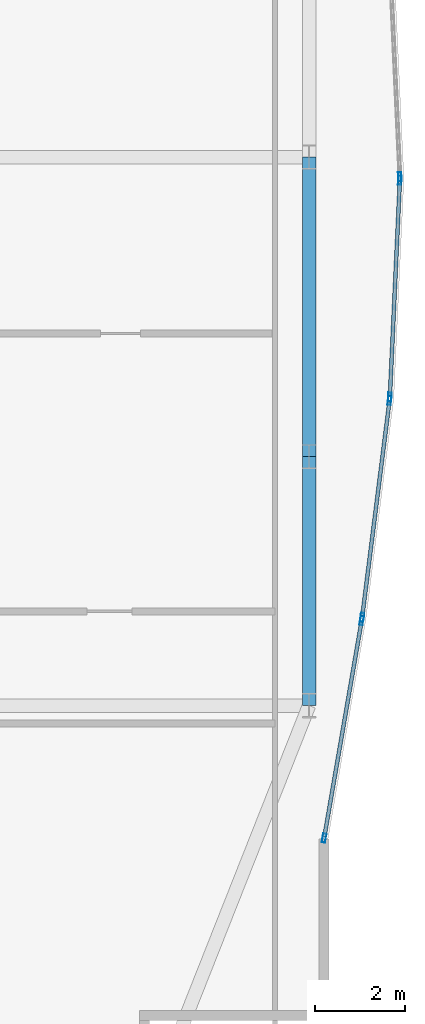
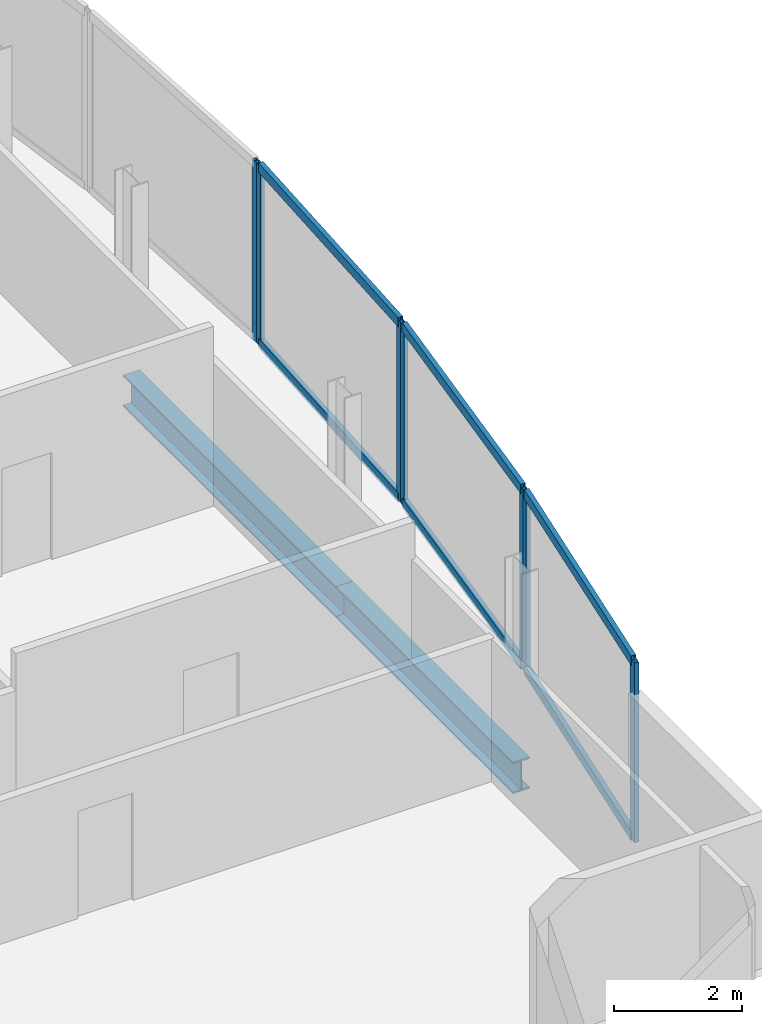
# One storey, part 21 of 29: 13 members, 2 beams, 4 elements without a shape of their own.
"""IFC4 building model written with IfcOpenShell, lengths in metres."""

import ifcopenshell
import ifcopenshell.guid

model = None  # the IFC model being written
_history = None  # IfcOwnerHistory: only IFC2X3 demands one
_inside = {}  # id of a spatial element -> (the spatial element, [elements in it])
_under = {}  # id of a project, library or spatial element -> (it, [spatial elements below it])
_declared = {}  # id of a project -> (the project, [libraries it declares])
_typed = {}  # id of a type object -> (the type object, [elements of that type])
_made_of = {}  # id of a material, layer set ... -> (it, [elements and type objects made of it])


def new_model(schema):
    """Start an empty IFC model of exactly this schema.

    Asked for "IFC4X3", IfcOpenShell would pick the latest addendum, in which some entities
    have other attributes; the version numbers below select the first issue.
    IFC2X3 requires an IfcOwnerHistory on every rooted entity: one is made here for all.
    """
    global model, _history
    if schema == "IFC4X3":
        model = ifcopenshell.file(schema_version=(4, 3, 0, 0))
    else:
        model = ifcopenshell.file(schema=schema)
    _inside.clear()
    _under.clear()
    _declared.clear()
    _typed.clear()
    _made_of.clear()
    _history = None
    if model.schema == "IFC2X3":
        org = make("IfcOrganization", Name="unknown")
        user = make(
            "IfcPersonAndOrganization",
            ThePerson=make("IfcPerson", FamilyName="unknown"),
            TheOrganization=org,
        )
        app = make(
            "IfcApplication",
            ApplicationDeveloper=org,
            Version="unknown",
            ApplicationFullName="unknown",
            ApplicationIdentifier="unknown",
        )
        _history = make(
            "IfcOwnerHistory",
            OwningUser=user,
            OwningApplication=app,
            ChangeAction="ADDED",
            CreationDate=0,
        )
    return model


def make(cls, **values):
    """One entity of the class cls with the attributes given. An attribute that is None is left unset."""
    return model.create_entity(
        cls, **{name: value for name, value in values.items() if value is not None}
    )


def rooted(cls, **values):
    """An entity with a GlobalId (a new one), such as an element, a storey or a relation."""
    return make(cls, GlobalId=ifcopenshell.guid.new(), OwnerHistory=_history, **values)


def si_unit(unit_type, name, prefix=None):
    """IfcSIUnit, for example si_unit("LENGTHUNIT", "METRE", prefix="MILLI")."""
    return make("IfcSIUnit", UnitType=unit_type, Prefix=prefix, Name=name)


def assignment(units):
    """IfcUnitAssignment: the units of a project."""
    return None if units is None else make("IfcUnitAssignment", Units=units)


def point(xyz):
    """IfcCartesianPoint."""
    return None if xyz is None else make("IfcCartesianPoint", Coordinates=xyz)


def direction(xyz):
    """IfcDirection."""
    return None if xyz is None else make("IfcDirection", DirectionRatios=xyz)


def frame(location, z_axis=None, x_axis=None):
    """IfcAxis2Placement3D, a coordinate frame: its origin and axes. An axis left out is left unset."""
    return make(
        "IfcAxis2Placement3D",
        Location=point(location),
        Axis=direction(z_axis),
        RefDirection=direction(x_axis),
    )


def frame_2d(location, x_axis=None):
    """IfcAxis2Placement2D, a coordinate frame in the plane: its origin and x axis."""
    return make(
        "IfcAxis2Placement2D", Location=point(location), RefDirection=direction(x_axis)
    )


def origin():
    """The frame at (0, 0, 0) with its axes left unset."""
    return frame((0.0, 0.0, 0.0))


def origin_2d():
    """The frame at (0, 0) in the plane with its x axis left unset."""
    return frame_2d((0.0, 0.0))


def place(relative_to, where):
    """IfcLocalPlacement: puts the frame where relative to a parent placement (None: the world)."""
    return make(
        "IfcLocalPlacement", PlacementRelTo=relative_to, RelativePlacement=where
    )


def context(
    kind, dimensions, precision=None, world=None, true_north=None, identifier=None
):
    """IfcGeometricRepresentationContext, for example the 3D "Model" context."""
    return make(
        "IfcGeometricRepresentationContext",
        ContextIdentifier=identifier,
        ContextType=kind,
        CoordinateSpaceDimension=dimensions,
        Precision=precision,
        WorldCoordinateSystem=world,
        TrueNorth=true_north,
    )


def subcontext(parent, identifier, kind, view, scale=None):
    """IfcGeometricRepresentationSubContext, for example "Body" below "Model"."""
    return make(
        "IfcGeometricRepresentationSubContext",
        ContextIdentifier=identifier,
        ContextType=kind,
        ParentContext=parent,
        TargetScale=scale,
        TargetView=view,
    )


def project(units=None, contexts=None):
    """IfcProject with its units and contexts."""
    return rooted(
        "IfcProject",
        Name="project",
        RepresentationContexts=contexts,
        UnitsInContext=assignment(units),
    )


def spatial(cls, under=None, at=None, **own):
    """A site, building, storey or space (cls), placed at a placement, below another one or the project."""
    s = rooted(cls, ObjectPlacement=at, **own)
    if under is not None:
        _under.setdefault(under.id(), (under, []))[1].append(s)
    return s


def profile(cls, at=None, kind="AREA", **sizes):
    """A parametric profile (cls). Its sizes go by their IFC names, for example OverallWidth=200.0."""
    return make(cls, ProfileType=kind, Position=at, **sizes)


def hollow_rectangle(**sizes):
    """IfcRectangleHollowProfileDef."""
    return profile("IfcRectangleHollowProfileDef", **sizes)


def i_section(**sizes):
    """IfcIShapeProfileDef."""
    return profile("IfcIShapeProfileDef", **sizes)


def extrude(swept, where, along, depth):
    """IfcExtrudedAreaSolid: the profile swept, set in the frame where, extruded along a direction by depth."""
    return make(
        "IfcExtrudedAreaSolid",
        SweptArea=swept,
        Position=where,
        ExtrudedDirection=direction(along),
        Depth=depth,
    )


def shape(context_of_items, identifier, shape_type, items):
    """IfcShapeRepresentation: the items that make up one representation, for example the "Body"."""
    return make(
        "IfcShapeRepresentation",
        ContextOfItems=context_of_items,
        RepresentationIdentifier=identifier,
        RepresentationType=shape_type,
        Items=items,
    )


def material(Name=None, Category=None):
    """IfcMaterial."""
    return make("IfcMaterial", Name=Name, Category=Category)


def material_profile(
    of_material, cross_section, Name=None, Category=None, Priority=None
):
    """IfcMaterialProfile: a cross section and its material."""
    return make(
        "IfcMaterialProfile",
        Name=Name,
        Material=of_material,
        Profile=cross_section,
        Priority=Priority,
        Category=Category,
    )


def profile_set(profiles, Name=None, composite=None):
    """IfcMaterialProfileSet."""
    return make(
        "IfcMaterialProfileSet",
        Name=Name,
        MaterialProfiles=profiles,
        CompositeProfile=composite,
    )


def made_of(thing, what):
    """Note that an element or type object is made of a material, layer set ...; save() writes the relation."""
    if what is not None:
        _made_of.setdefault(what.id(), (what, []))[1].append(thing)
    return thing


def type_object(cls, material=None, **own):
    """A type object (cls), such as IfcWallType, which elements share."""
    return made_of(rooted(cls, **own), material)


def element(
    cls,
    number,
    at=None,
    inside=None,
    cuts=None,
    type_object=None,
    material=None,
    context=None,
    identifier="Body",
    shape_type=None,
    held_by="IfcProductDefinitionShape",
    body=None,
    shapes=None,
    **own,
):
    """One element of the class cls, such as IfcWall. Its Tag is "e" and its number.

    at: its placement. inside: the storey or other place that contains it. cuts: it is an
    opening in that element (IfcRelVoidsElement). A single representation is given by context,
    identifier, shape_type and body (its items); several are given by shapes. held_by: the class
    of the entity that holds the representations. save() writes the other relations.
    """
    e = rooted(cls, Tag="e%d" % number, ObjectPlacement=at, **own)
    if body is not None:
        shapes = [shape(context, identifier, shape_type, body)]
    if shapes is not None:
        e.Representation = make(held_by, Representations=shapes)
    if inside is not None:
        _inside.setdefault(inside.id(), (inside, []))[1].append(e)
    if cuts is not None:
        rooted(
            "IfcRelVoidsElement", RelatingBuildingElement=cuts, RelatedOpeningElement=e
        )
    if type_object is not None:
        _typed.setdefault(type_object.id(), (type_object, []))[1].append(e)
    return made_of(e, material)


def aggregate(whole, parts):
    """IfcRelAggregates: a whole, such as a stair, and the parts it consists of."""
    return rooted("IfcRelAggregates", RelatingObject=whole, RelatedObjects=parts)


def save(model, path):
    """Write the relations noted so far, then the file.

    IfcRelAggregates (storeys below a building ...), IfcRelContainedInSpatialStructure (elements
    in a storey), IfcRelDefinesByType, IfcRelAssociatesMaterial and IfcRelDeclares: one each for
    every whole, place, type object, material and project.
    """
    for whole, parts in _under.values():
        aggregate(whole, parts)
    for where, things in _inside.values():
        rooted(
            "IfcRelContainedInSpatialStructure",
            RelatedElements=things,
            RelatingStructure=where,
        )
    for kind, things in _typed.values():
        rooted("IfcRelDefinesByType", RelatedObjects=things, RelatingType=kind)
    for what, things in _made_of.values():
        rooted("IfcRelAssociatesMaterial", RelatedObjects=things, RelatingMaterial=what)
    for by, libraries in _declared.values():
        rooted("IfcRelDeclares", RelatingContext=by, RelatedDefinitions=libraries)
    model.write(path)


model = new_model("IFC4")

# Units and contexts
model_context = context("Model", 3, precision=1e-05, world=origin(), true_north=direction((0.0, 1.0)))
body_context = subcontext(model_context, "Body", "Model", "MODEL_VIEW")
ifc_project = project(units=[si_unit("LENGTHUNIT", "METRE"), si_unit("AREAUNIT", "SQUARE_METRE"), si_unit("VOLUMEUNIT", "CUBIC_METRE"), si_unit("PLANEANGLEUNIT", "RADIAN"), si_unit("MASSUNIT", "GRAM", prefix="KILO")], contexts=[model_context])

# Site, building, storey
site_placement = place(None, origin())
site = spatial("IfcSite", under=ifc_project, at=site_placement, CompositionType="ELEMENT")
building_placement = place(site_placement, origin())
building = spatial("IfcBuilding", under=site, at=building_placement, Name="Khoronbel Lancet Exchange", CompositionType="ELEMENT")
storey_placement = place(building_placement, frame((0.0, 0.0, 150.60009765625)))
storey = spatial("IfcBuildingStorey", under=building, at=storey_placement, Name="L37", CompositionType="ELEMENT", Elevation=150.60009765625)

# Beams
ifc_material_1 = material(Name="Steel S355", Category="steel")
ifc_material_profile_1 = material_profile(ifc_material_1, i_section(OverallWidth=0.300048828125, OverallDepth=0.60009765625, WebThickness=0.015380859375, FlangeThickness=0.030029296875, at=origin_2d()), Name="HEB 600")
ifc_profile_set_1 = profile_set([ifc_material_profile_1], Name="Steel S355")
beam_type = type_object("IfcBeamType", Name="BM-BSP2", PredefinedType="SPANDREL", material=ifc_profile_set_1)
beam_1_placement = place(storey_placement, frame((67.6298828125, 19.199951171875, -0.460205078125), z_axis=(0.0, 1.0, 0.0), x_axis=(-1.0, 0.0, 0.0)))
element("IfcBeam", 1, at=beam_1_placement, inside=storey, type_object=beam_type, Name="Level L37 perimeter spandrel beam SP11", PredefinedType="SPANDREL", context=body_context, shape_type="SweptSolid", body=[
    extrude(i_section(OverallWidth=0.300048828125, OverallDepth=0.60009765625, WebThickness=0.015380859375, FlangeThickness=0.030029296875, at=origin_2d()), origin(), (0.0, 0.0, 1.0), 5.550048828125),
])
beam_2_placement = place(storey_placement, frame((67.6298828125, 24.75, -0.460205078125), z_axis=(0.0, 1.0, 0.0), x_axis=(-1.0, 0.0, 0.0)))
element("IfcBeam", 2, at=beam_2_placement, inside=storey, type_object=beam_type, Name="Level L37 perimeter spandrel beam SP12", PredefinedType="SPANDREL", context=body_context, shape_type="SweptSolid", body=[
    extrude(i_section(OverallWidth=0.300048828125, OverallDepth=0.60009765625, WebThickness=0.015380859375, FlangeThickness=0.030029296875, at=origin_2d()), origin(), (0.0, 0.0, 1.0), 6.675048828125),
])

# Curtain wall, member
ifc_material_2 = material(Name="Low-E Solar Control Insulating Glass", Category="glass")
curtain_wall_type = type_object("IfcCurtainWallType", Name="CW-4", PredefinedType="NOTDEFINED", material=ifc_material_2)
curtain_wall_1_placement = place(storey_placement, origin())
curtain_wall_1 = element("IfcCurtainWall", 3, at=curtain_wall_1_placement, inside=storey, type_object=curtain_wall_type, Name="Unitised curtain wall CW-L37-E19", PredefinedType="NOTDEFINED")
ifc_material_3 = material(Name="Bronze-Anodised Aluminium 6063-T6", Category="aluminium")
ifc_material_profile_2 = material_profile(ifc_material_3, hollow_rectangle(XDim=0.074951171875, YDim=0.199951171875, WallThickness=0.0048828125, at=origin_2d()), Name="ALU MULLION 75x200")
ifc_profile_set_2 = profile_set([ifc_material_profile_2], Name="Bronze-Anodised Aluminium 6063-T6")
member_type_1 = type_object("IfcMemberType", Name="MEM-CWM2", PredefinedType="MULLION", material=ifc_profile_set_2)
member_1_placement = place(storey_placement, frame((69.65478515625, 30.987548828125, 0.0), z_axis=(0.0, 0.0, 1.0), x_axis=(0.998933507657, 0.046171931737, 0.0)))
member_1 = element("IfcMember", 4, at=member_1_placement, type_object=member_type_1, Name="CW4 mullion 2", PredefinedType="MULLION", context=body_context, shape_type="SweptSolid", body=[
    extrude(hollow_rectangle(XDim=0.074951171875, YDim=0.199951171875, WallThickness=0.0048828125, at=origin_2d()), origin(), (0.0, 0.0, 1.0), 3.43994140625),
])
aggregate(curtain_wall_1, [member_1])

# Curtain wall, members
curtain_wall_2_placement = place(storey_placement, origin())
curtain_wall_2 = element("IfcCurtainWall", 5, at=curtain_wall_2_placement, inside=storey, type_object=curtain_wall_type, Name="Unitised curtain wall CW-L37-E20", PredefinedType="NOTDEFINED")
member_2_placement = place(storey_placement, frame((69.65478515625, 30.91259765625, 0.0), z_axis=(0.0, 0.0, 1.0), x_axis=(0.998933507657, -0.046171931737, 0.0)))
member_2 = element("IfcMember", 6, at=member_2_placement, type_object=member_type_1, Name="CW4 mullion 1", PredefinedType="MULLION", context=body_context, shape_type="SweptSolid", body=[
    extrude(hollow_rectangle(XDim=0.074951171875, YDim=0.199951171875, WallThickness=0.0048828125, at=origin_2d()), origin(), (0.0, 0.0, 1.0), 3.43994140625),
])
member_3_placement = place(storey_placement, frame((69.431396484375, 26.078369140625, 0.0), z_axis=(0.0, 0.0, 1.0), x_axis=(0.998933507657, -0.046171931737, 0.0)))
member_3 = element("IfcMember", 7, at=member_3_placement, type_object=member_type_1, Name="CW4 mullion 2", PredefinedType="MULLION", context=body_context, shape_type="SweptSolid", body=[
    extrude(hollow_rectangle(XDim=0.074951171875, YDim=0.199951171875, WallThickness=0.0048828125, at=origin_2d()), origin(), (0.0, 0.0, 1.0), 3.43994140625),
])

curtain_wall_3_placement = place(storey_placement, origin())
curtain_wall_3 = element("IfcCurtainWall", 8, at=curtain_wall_3_placement, inside=storey, type_object=curtain_wall_type, Name="Unitised curtain wall CW-L37-E21", PredefinedType="NOTDEFINED")
member_4_placement = place(storey_placement, frame((69.4248046875, 26.00390625, 0.0), z_axis=(0.0, 0.0, 1.0), x_axis=(0.992117302978, -0.125312637554, 0.0)))
member_4 = element("IfcMember", 9, at=member_4_placement, type_object=member_type_1, Name="CW4 mullion 1", PredefinedType="MULLION", context=body_context, shape_type="SweptSolid", body=[
    extrude(hollow_rectangle(XDim=0.074951171875, YDim=0.199951171875, WallThickness=0.0048828125, at=origin_2d()), origin(), (0.0, 0.0, 1.0), 3.43994140625),
])
member_5_placement = place(storey_placement, frame((68.81396484375, 21.167236328125, 0.0), z_axis=(0.0, 0.0, 1.0), x_axis=(0.992117302978, -0.125312637554, 0.0)))
member_5 = element("IfcMember", 10, at=member_5_placement, type_object=member_type_1, Name="CW4 mullion 2", PredefinedType="MULLION", context=body_context, shape_type="SweptSolid", body=[
    extrude(hollow_rectangle(XDim=0.074951171875, YDim=0.199951171875, WallThickness=0.0048828125, at=origin_2d()), origin(), (0.0, 0.0, 1.0), 3.43994140625),
])

curtain_wall_4_placement = place(storey_placement, origin())
curtain_wall_4 = element("IfcCurtainWall", 11, at=curtain_wall_4_placement, inside=storey, type_object=curtain_wall_type, Name="Unitised curtain wall CW-L37-E22", PredefinedType="NOTDEFINED")
member_6_placement = place(storey_placement, frame((68.802978515625, 21.093017578125, 0.0), z_axis=(0.0, 0.0, 1.0), x_axis=(0.985439071124, -0.170028930194, 0.0)))
member_6 = element("IfcMember", 12, at=member_6_placement, type_object=member_type_1, Name="CW4 mullion 1", PredefinedType="MULLION", context=body_context, shape_type="SweptSolid", body=[
    extrude(hollow_rectangle(XDim=0.074951171875, YDim=0.199951171875, WallThickness=0.0048828125, at=origin_2d()), origin(), (0.0, 0.0, 1.0), 3.43994140625),
])
member_7_placement = place(storey_placement, frame((67.96630859375, 16.24462890625, 0.0), z_axis=(0.0, 0.0, 1.0), x_axis=(0.985439071124, -0.170028930194, 0.0)))
member_7 = element("IfcMember", 13, at=member_7_placement, type_object=member_type_1, Name="CW4 mullion 2", PredefinedType="MULLION", context=body_context, shape_type="SweptSolid", body=[
    extrude(hollow_rectangle(XDim=0.074951171875, YDim=0.199951171875, WallThickness=0.0048828125, at=origin_2d()), origin(), (0.0, 0.0, 1.0), 3.43994140625),
])

# Member
ifc_material_profile_3 = material_profile(ifc_material_3, hollow_rectangle(XDim=0.0849609375, YDim=0.179931640625, WallThickness=0.0048828125, at=origin_2d()), Name="ALU TRANSOM 85x180")
ifc_profile_set_3 = profile_set([ifc_material_profile_3], Name="Bronze-Anodised Aluminium 6063-T6")
member_type_2 = type_object("IfcMemberType", Name="MEM-CWT1", PredefinedType="USERDEFINED", material=ifc_profile_set_3)
member_8_placement = place(storey_placement, frame((69.653076171875, 30.875, 0.04248046875), z_axis=(-0.046172424454, -0.998933484883, 0.0), x_axis=(0.998933484883, -0.046172424454, 0.0)))
member_8 = element("IfcMember", 14, at=member_8_placement, type_object=member_type_2, Name="CW4 transom 1.1", ObjectType="TRANSOM", PredefinedType="USERDEFINED", context=body_context, shape_type="SweptSolid", body=[
    extrude(hollow_rectangle(XDim=0.0849609375, YDim=0.179931640625, WallThickness=0.0048828125, at=origin_2d()), origin(), (0.0, 0.0, 1.0), 4.76416015625),
])

member_9_placement = place(storey_placement, frame((69.653076171875, 30.875, 3.3974609375), z_axis=(-0.046172424454, -0.998933484883, 0.0), x_axis=(0.998933484883, -0.046172424454, 0.0)))
member_9 = element("IfcMember", 15, at=member_9_placement, type_object=member_type_2, Name="CW4 transom 1.2", ObjectType="TRANSOM", PredefinedType="USERDEFINED", context=body_context, shape_type="SweptSolid", body=[
    extrude(hollow_rectangle(XDim=0.0849609375, YDim=0.179931640625, WallThickness=0.0048828125, at=origin_2d()), origin(), (0.0, 0.0, 1.0), 4.76416015625),
])

aggregate(curtain_wall_2, [member_2, member_3, member_8, member_9])

member_10_placement = place(storey_placement, frame((69.420166015625, 25.966552734375, 0.04248046875), z_axis=(-0.125324179344, -0.992115845086, 0.0), x_axis=(0.992115845086, -0.125324179344, 0.0)))
member_10 = element("IfcMember", 16, at=member_10_placement, type_object=member_type_2, Name="CW4 transom 1.1", ObjectType="TRANSOM", PredefinedType="USERDEFINED", context=body_context, shape_type="SweptSolid", body=[
    extrude(hollow_rectangle(XDim=0.0849609375, YDim=0.179931640625, WallThickness=0.0048828125, at=origin_2d()), origin(), (0.0, 0.0, 1.0), 4.800048828125),
])

member_11_placement = place(storey_placement, frame((69.420166015625, 25.966552734375, 3.3974609375), z_axis=(-0.125324179344, -0.992115845086, 0.0), x_axis=(0.992115845086, -0.125324179344, 0.0)))
member_11 = element("IfcMember", 17, at=member_11_placement, type_object=member_type_2, Name="CW4 transom 1.2", ObjectType="TRANSOM", PredefinedType="USERDEFINED", context=body_context, shape_type="SweptSolid", body=[
    extrude(hollow_rectangle(XDim=0.0849609375, YDim=0.179931640625, WallThickness=0.0048828125, at=origin_2d()), origin(), (0.0, 0.0, 1.0), 4.800048828125),
])

aggregate(curtain_wall_3, [member_4, member_5, member_10, member_11])

member_12_placement = place(storey_placement, frame((68.796630859375, 21.05615234375, 0.04248046875), z_axis=(-0.170058776061, -0.985433921014, 0.0), x_axis=(0.985433921014, -0.170058776061, 0.0)))
member_12 = element("IfcMember", 18, at=member_12_placement, type_object=member_type_2, Name="CW4 transom 1.1", ObjectType="TRANSOM", PredefinedType="USERDEFINED", context=body_context, shape_type="SweptSolid", body=[
    extrude(hollow_rectangle(XDim=0.0849609375, YDim=0.179931640625, WallThickness=0.0048828125, at=origin_2d()), origin(), (0.0, 0.0, 1.0), 4.84521484375),
])

member_13_placement = place(storey_placement, frame((68.796630859375, 21.05615234375, 3.3974609375), z_axis=(-0.170058776061, -0.985433921014, 0.0), x_axis=(0.985433921014, -0.170058776061, 0.0)))
member_13 = element("IfcMember", 19, at=member_13_placement, type_object=member_type_2, Name="CW4 transom 1.2", ObjectType="TRANSOM", PredefinedType="USERDEFINED", context=body_context, shape_type="SweptSolid", body=[
    extrude(hollow_rectangle(XDim=0.0849609375, YDim=0.179931640625, WallThickness=0.0048828125, at=origin_2d()), origin(), (0.0, 0.0, 1.0), 4.84521484375),
])

aggregate(curtain_wall_4, [member_6, member_7, member_12, member_13])

save(model, "model.ifc")
